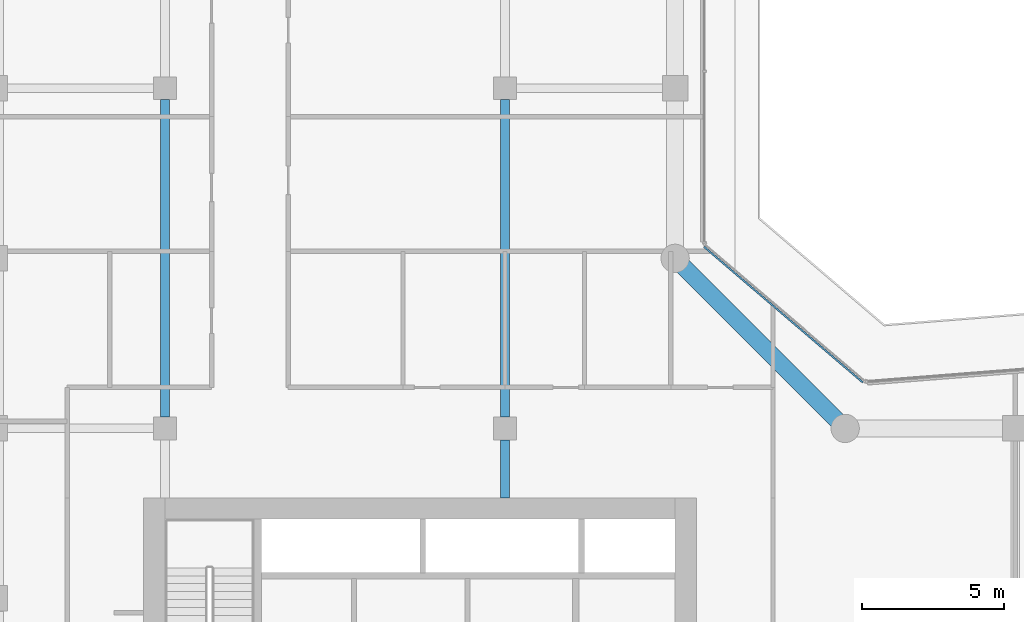
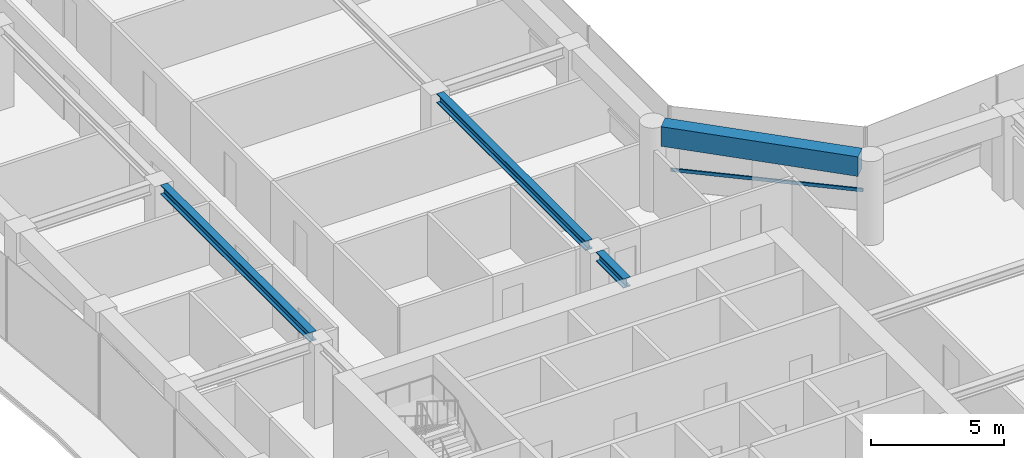
# One storey, part 5 of 25: 4 beams, 1 member, 1 element without a shape of its own.
"""IFC4 building model written with IfcOpenShell, lengths in metres."""

from ifc_helpers import new_model, si_unit, direction, frame, origin, origin_2d, place, context, subcontext, project, spatial, rectangle, i_section, extrude, material, layer, layer_set, material_profile, profile_set, type_object, element, aggregate, save


model = new_model("IFC4")

# Units and contexts
model_context = context("Model", 3, precision=1e-05, world=origin(), true_north=direction((0.0, 1.0)))
body_context = subcontext(model_context, "Body", "Model", "MODEL_VIEW")
ifc_project = project(units=[si_unit("LENGTHUNIT", "METRE"), si_unit("AREAUNIT", "SQUARE_METRE"), si_unit("VOLUMEUNIT", "CUBIC_METRE"), si_unit("PLANEANGLEUNIT", "RADIAN"), si_unit("MASSUNIT", "GRAM", prefix="KILO")], contexts=[model_context])

# Site, building, storey
site_placement = place(None, origin())
site = spatial("IfcSite", under=ifc_project, at=site_placement, CompositionType="ELEMENT")
building_placement = place(site_placement, origin())
building = spatial("IfcBuilding", under=site, at=building_placement, Name="Welwitschia Terrace Campus", CompositionType="ELEMENT")
storey_placement = place(building_placement, frame((0.0, 0.0, 92.0)))
storey = spatial("IfcBuildingStorey", under=building, at=storey_placement, Name="L20", CompositionType="ELEMENT", Elevation=92.0)

# Beams
ifc_material_1 = material(Name="Steel S355", Category="steel")
ifc_material_profile_1 = material_profile(ifc_material_1, i_section(OverallWidth=0.306884765625, OverallDepth=0.431884765625, WebThickness=0.02099609375, FlangeThickness=0.0400390625, FilletRadius=0.027099609375, at=origin_2d()))
ifc_profile_set_1 = profile_set([ifc_material_profile_1], Name="Steel S355")
beam_type_1 = type_object("IfcBeamType", Name="Interior girder HE 400 M", PredefinedType="BEAM", material=ifc_profile_set_1)
beam_1_placement = place(storey_placement, frame((6.0, 28.400390625, 3.634033203125), z_axis=(0.0, 1.0, 0.0), x_axis=(-1.0, 0.0, 0.0)))
element("IfcBeam", 1, at=beam_1_placement, inside=storey, type_object=beam_type_1, Name="Girder GB3", PredefinedType="BEAM", context=body_context, shape_type="SweptSolid", body=[
    extrude(i_section(OverallWidth=0.306884765625, OverallDepth=0.431884765625, WebThickness=0.02099609375, FlangeThickness=0.0400390625, FilletRadius=0.027099609375, at=origin_2d()), origin(), (0.0, 0.0, 1.0), 11.19921875),
])
beam_2_placement = place(storey_placement, frame((18.0, 25.551025390625, 3.634033203125), z_axis=(0.0, 1.0, 0.0), x_axis=(-1.0, 0.0, 0.0)))
element("IfcBeam", 2, at=beam_2_placement, inside=storey, type_object=beam_type_1, Name="Girder GB3", PredefinedType="BEAM", context=body_context, shape_type="SweptSolid", body=[
    extrude(i_section(OverallWidth=0.306884765625, OverallDepth=0.431884765625, WebThickness=0.02099609375, FlangeThickness=0.0400390625, FilletRadius=0.027099609375, at=origin_2d()), origin(), (0.0, 0.0, 1.0), 2.048583984375),
])
beam_3_placement = place(storey_placement, frame((18.0, 28.400390625, 3.634033203125), z_axis=(0.0, 1.0, 0.0), x_axis=(-1.0, 0.0, 0.0)))
element("IfcBeam", 3, at=beam_3_placement, inside=storey, type_object=beam_type_1, Name="Girder GB3", PredefinedType="BEAM", context=body_context, shape_type="SweptSolid", body=[
    extrude(i_section(OverallWidth=0.306884765625, OverallDepth=0.431884765625, WebThickness=0.02099609375, FlangeThickness=0.0400390625, FilletRadius=0.027099609375, at=origin_2d()), origin(), (0.0, 0.0, 1.0), 11.19921875),
])
ifc_material_2 = material(Name="Concrete C60/75", Category="concrete")
ifc_material_profile_2 = material_profile(ifc_material_2, rectangle(XDim=0.60009765625, YDim=0.89990234375, at=origin_2d()))
ifc_profile_set_2 = profile_set([ifc_material_profile_2], Name="Concrete C60/75")
beam_type_2 = type_object("IfcBeamType", Name="Ring spandrel 600x900", PredefinedType="SPANDREL", material=ifc_profile_set_2)
beam_4_placement = place(storey_placement, frame((29.716796875, 28.283203125, 3.39990234375), z_axis=(-0.707106781187, 0.707106781187, 0.0), x_axis=(-0.707106781187, -0.707106781187, 0.0)))
element("IfcBeam", 4, at=beam_4_placement, inside=storey, type_object=beam_type_2, Name="Spandrel SP2", PredefinedType="SPANDREL", context=body_context, shape_type="SweptSolid", body=[
    extrude(rectangle(XDim=0.60009765625, YDim=0.89990234375, at=origin_2d()), origin(), (0.0, 0.0, 1.0), 7.684326171875),
])

# Curtain wall, member
ifc_material_3 = material(Name="Bronze anodised aluminium", Category="aluminium")
ifc_layer = layer(ifc_material_3, 0.1201171875)
ifc_layer_set = layer_set([ifc_layer], Name="Bronze anodised aluminium")
curtain_wall_type = type_object("IfcCurtainWallType", Name="Curtain wall CW2 tower 6000", PredefinedType="NOTDEFINED", material=ifc_layer_set)
curtain_wall_placement = place(storey_placement, origin())
curtain_wall = element("IfcCurtainWall", 5, at=curtain_wall_placement, inside=storey, type_object=curtain_wall_type, Name="CW L20.9.0", PredefinedType="NOTDEFINED")
ifc_material_4 = material(Name="Bronze anodised aluminium", Category="aluminium")
ifc_material_profile_3 = material_profile(ifc_material_4, rectangle(XDim=0.06005859375, YDim=0.14990234375, at=origin_2d()))
ifc_profile_set_3 = profile_set([ifc_material_profile_3], Name="Bronze anodised aluminium")
member_type = type_object("IfcMemberType", Name="Transom 60x150", PredefinedType="USERDEFINED", material=ifc_profile_set_3)
member_placement = place(storey_placement, frame((30.624267578125, 29.62109375, 1.0), z_axis=(-0.760400587981, 0.649454344661, 0.0), x_axis=(-0.649454344661, -0.760400587981, 0.0)))
member = element("IfcMember", 6, at=member_placement, type_object=member_type, Name="Transom L20.9.0", ObjectType="TRANSOM", PredefinedType="USERDEFINED", context=body_context, shape_type="SweptSolid", body=[
    extrude(rectangle(XDim=0.06005859375, YDim=0.14990234375, at=origin_2d()), origin(), (0.0, 0.0, 1.0), 7.3740234375),
])
aggregate(curtain_wall, [member])

save(model, "model.ifc")
